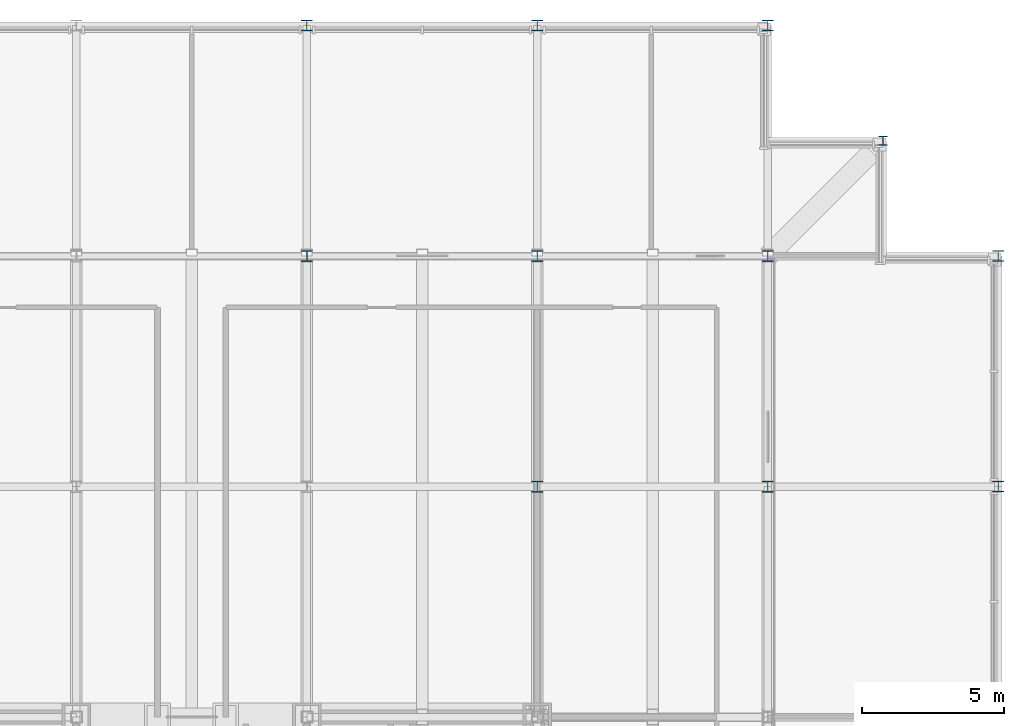
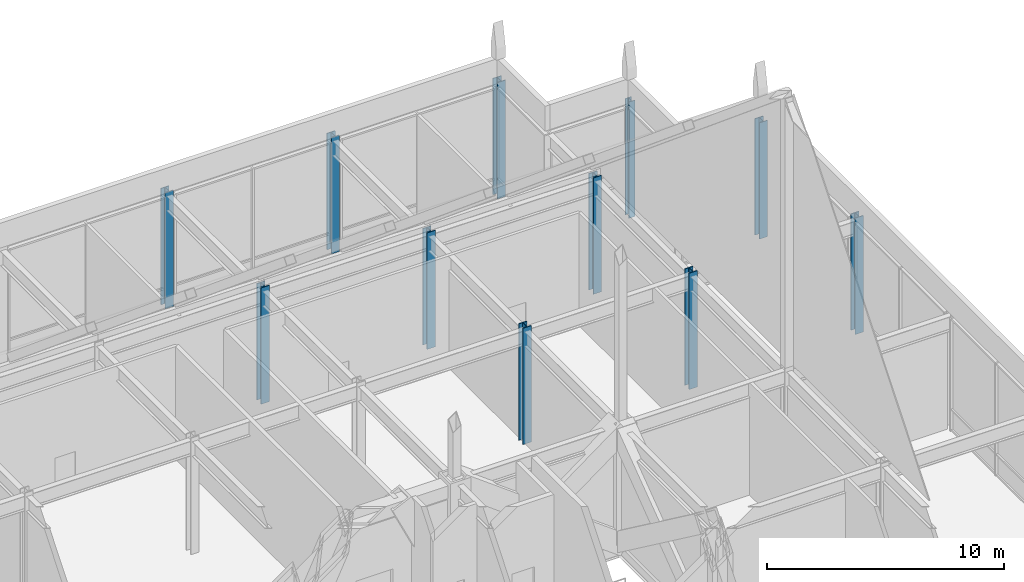
# One storey, part 4 of 22: 11 columns.
"""IFC4 building model written with IfcOpenShell, lengths in metres."""

from ifc_helpers import new_model, si_unit, direction, frame, origin, origin_2d, place, context, subcontext, project, spatial, i_section, extrude, material, material_profile, profile_set, type_object, element, save


model = new_model("IFC4")

# Units and contexts
model_context = context("Model", 3, precision=1e-05, world=origin(), true_north=direction((0.0, 1.0)))
body_context = subcontext(model_context, "Body", "Model", "MODEL_VIEW")
ifc_project = project(units=[si_unit("LENGTHUNIT", "METRE"), si_unit("AREAUNIT", "SQUARE_METRE"), si_unit("VOLUMEUNIT", "CUBIC_METRE"), si_unit("PLANEANGLEUNIT", "RADIAN"), si_unit("MASSUNIT", "GRAM", prefix="KILO")], contexts=[model_context])

# Site, building, storey
site_placement = place(None, origin())
site = spatial("IfcSite", under=ifc_project, at=site_placement, CompositionType="ELEMENT")
building_placement = place(site_placement, origin())
building = spatial("IfcBuilding", under=site, at=building_placement, Name="Kopane Lantern Tower", CompositionType="ELEMENT")
storey_placement = place(building_placement, frame((0.0, 0.0, 303.89990234375)))
storey = spatial("IfcBuildingStorey", under=building, at=storey_placement, Name="L77", CompositionType="ELEMENT", Elevation=303.89990234375)

# Columns
ifc_material_1 = material(Name="Steel S355JR", Category="steel")
ifc_material_profile_1 = material_profile(ifc_material_1, i_section(OverallWidth=0.307373046875, OverallDepth=0.314453125, WebThickness=0.011962890625, FlangeThickness=0.018798828125, FilletRadius=0.01513671875, at=origin_2d()), Name="UC 305x305x118")
ifc_profile_set_1 = profile_set([ifc_material_profile_1], Name="Steel S355JR")
column_type_1 = type_object("IfcColumnType", Name="COLUMN UC 305x305x118", PredefinedType="COLUMN", material=ifc_profile_set_1)
column_placement = place(storey_placement, frame((52.64990234375, 60.75, 0.0), z_axis=(0.0, 0.0, 1.0), x_axis=(1.0, 0.0, 0.0)))
element("IfcColumn", 1, at=column_placement, inside=storey, type_object=column_type_1, Name="Column 52.65/60.75 L77", PredefinedType="COLUMN", context=body_context, shape_type="SweptSolid", body=[
    extrude(i_section(OverallWidth=0.307373046875, OverallDepth=0.314453125, WebThickness=0.011962890625, FlangeThickness=0.018798828125, FilletRadius=0.01513671875, at=origin_2d()), origin(), (0.0, 0.0, 1.0), 6.0),
])
ifc_material_2 = material(Name="Steel S355JR", Category="steel")
ifc_material_profile_2 = material_profile(ifc_material_2, i_section(OverallWidth=0.39892578125, OverallDepth=0.3935546875, WebThickness=0.022705078125, FlangeThickness=0.03662109375, FilletRadius=0.01513671875, at=origin_2d()), Name="UC 356x406x287")
ifc_profile_set_2 = profile_set([ifc_material_profile_2], Name="Steel S355JR")
column_type_2 = type_object("IfcColumnType", Name="COLUMN UC 356x406x287", PredefinedType="COLUMN", material=ifc_profile_set_2)
for number, where, z_axis, x_axis, name in (
    (2, (32.39990234375, 64.800048828125, 0.0), (0.0, 0.0, 1.0), (1.0, 0.0, 0.0), "Column 6/K L77"),
    (3, (40.5, 64.800048828125, 0.0), (0.0, 0.0, 1.0), (1.0, 0.0, 0.0), "Column 7/K L77"),
    (4, (48.60009765625, 64.800048828125, 0.0), (0.0, 0.0, 1.0), (1.0, 0.0, 0.0), "Column 8/K L77"),
    (5, (56.699951171875, 48.60009765625, 0.0), (0.0, 0.0, 1.0), (1.0, 0.0, 0.0), "Column 9/H L77"),
    (6, (56.699951171875, 56.699951171875, 0.0), (0.0, 0.0, 1.0), (1.0, 0.0, 0.0), "Column 9/J L77"),
):
    element("IfcColumn", number, at=place(storey_placement, frame(where, z_axis=z_axis, x_axis=x_axis)), inside=storey, type_object=column_type_2, Name=name, PredefinedType="COLUMN", context=body_context, shape_type="SweptSolid", body=[
        extrude(i_section(OverallWidth=0.39892578125, OverallDepth=0.3935546875, WebThickness=0.022705078125, FlangeThickness=0.03662109375, FilletRadius=0.01513671875, at=origin_2d()), origin(), (0.0, 0.0, 1.0), 6.0),
    ])
ifc_material_3 = material(Name="Steel S355JR", Category="steel")
ifc_material_profile_3 = material_profile(ifc_material_3, i_section(OverallWidth=0.403076171875, OverallDepth=0.406494140625, WebThickness=0.026611328125, FlangeThickness=0.04296875, FilletRadius=0.01513671875, at=origin_2d()), Name="UC 356x406x340")
ifc_profile_set_3 = profile_set([ifc_material_profile_3], Name="Steel S355JR")
column_type_3 = type_object("IfcColumnType", Name="COLUMN UC 356x406x340", PredefinedType="COLUMN", material=ifc_profile_set_3)
for number, where, z_axis, x_axis, name in (
    (7, (32.39990234375, 56.699951171875, 0.0), (0.0, 0.0, 1.0), (1.0, 0.0, 0.0), "Column 6/J L77"),
    (8, (40.5, 48.60009765625, 0.0), (0.0, 0.0, 1.0), (1.0, 0.0, 0.0), "Column 7/H L77"),
    (9, (40.5, 56.699951171875, 0.0), (0.0, 0.0, 1.0), (1.0, 0.0, 0.0), "Column 7/J L77"),
    (10, (48.60009765625, 48.60009765625, 0.0), (0.0, 0.0, 1.0), (1.0, 0.0, 0.0), "Column 8/H L77"),
    (11, (48.60009765625, 56.699951171875, 0.0), (0.0, 0.0, 1.0), (1.0, 0.0, 0.0), "Column 8/J L77"),
):
    element("IfcColumn", number, at=place(storey_placement, frame(where, z_axis=z_axis, x_axis=x_axis)), inside=storey, type_object=column_type_3, Name=name, PredefinedType="COLUMN", context=body_context, shape_type="SweptSolid", body=[
        extrude(i_section(OverallWidth=0.403076171875, OverallDepth=0.406494140625, WebThickness=0.026611328125, FlangeThickness=0.04296875, FilletRadius=0.01513671875, at=origin_2d()), origin(), (0.0, 0.0, 1.0), 6.0),
    ])

save(model, "model.ifc")
